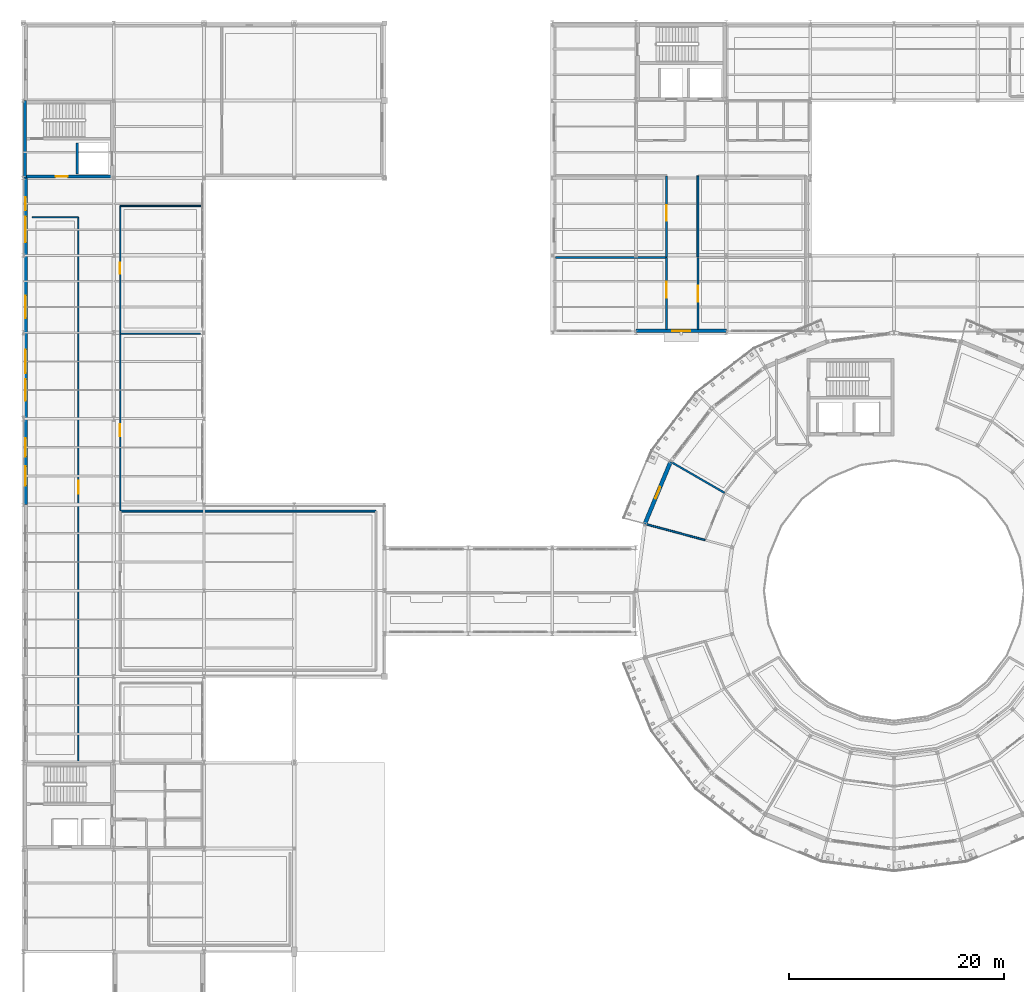
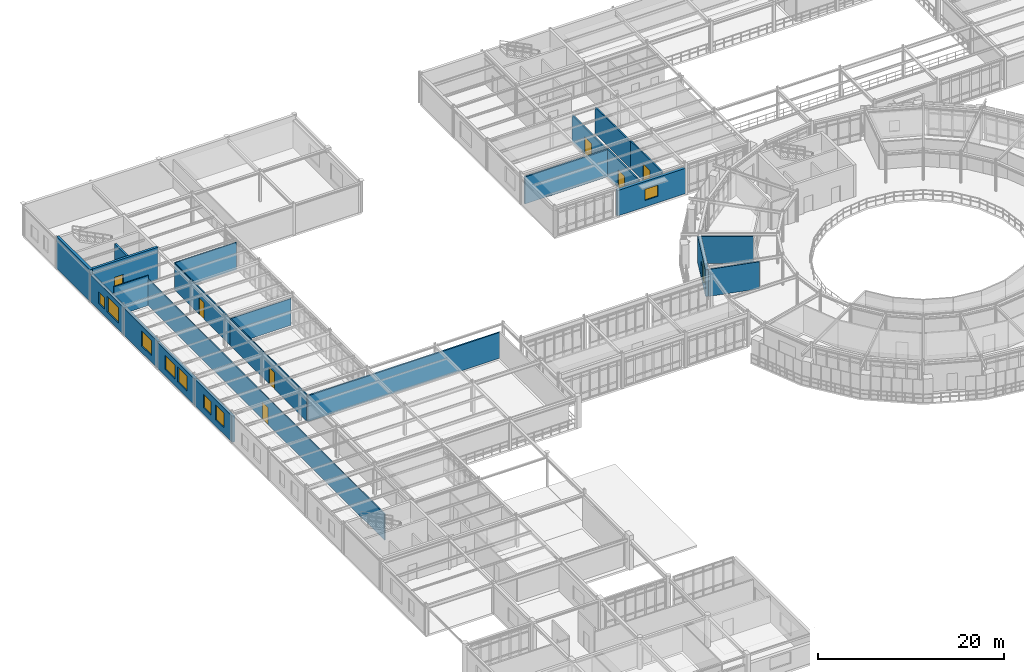
# One storey, part 75 of 90: 23 walls, 8 doors, 8 windows, 16 openings.
"""IFC4 building model written with IfcOpenShell, lengths in metres."""

from ifc_helpers import new_model, si_unit, derived_unit, direction, frame, frame_2d, origin, place, context, subcontext, project, spatial, rectangle, extrude, material, layer, layer_set, type_object, element, fill, save


model = new_model("IFC4")

# Units and contexts
model_context = context("Model", 3, precision=1e-05, world=origin(), true_north=direction((0.0, 1.0)))
body_context = subcontext(model_context, "Body", "Model", "MODEL_VIEW")
ifc_project = project(units=[si_unit("LENGTHUNIT", "METRE"), si_unit("AREAUNIT", "SQUARE_METRE"), si_unit("VOLUMEUNIT", "CUBIC_METRE"), si_unit("PLANEANGLEUNIT", "RADIAN"), si_unit("MASSUNIT", "GRAM", prefix="KILO"), derived_unit("THERMALTRANSMITTANCEUNIT", [(si_unit("POWERUNIT", "WATT"), 1), (si_unit("AREAUNIT", "SQUARE_METRE"), -1), (si_unit("THERMODYNAMICTEMPERATUREUNIT", "KELVIN"), -1)])], contexts=[model_context])

# Site, building, storey
site_placement = place(None, origin())
site = spatial("IfcSite", under=ifc_project, at=site_placement, CompositionType="ELEMENT")
building_placement = place(site_placement, origin())
building = spatial("IfcBuilding", under=site, at=building_placement, Name="Yasenodar Specialist Clinic", CompositionType="ELEMENT")
storey_placement = place(building_placement, frame((0.0, 0.0, 9.0)))
storey = spatial("IfcBuildingStorey", under=building, at=storey_placement, Name="L02", CompositionType="ELEMENT", Elevation=9.0)

# Wall, opening, door
ifc_material_1 = material(Name="Drum Insulated Terracotta Chord Wall", Category="masonry")
ifc_layer_1 = layer(ifc_material_1, 0.364990234375)
ifc_layer_set_1 = layer_set([ifc_layer_1], Name="Drum Insulated Terracotta Chord Wall")
wall_type_1 = type_object("IfcWallType", Name="EW-DRUM-365", PredefinedType="SOLIDWALL", material=ifc_layer_set_1)
wall_1_placement = place(storey_placement, frame((57.81787109375, 65.01171875, 0.0), z_axis=(0.0, 0.0, 1.0), x_axis=(0.382663829839, 0.9238876519, 0.0)))
wall_1 = element("IfcWall", 1, at=wall_1_placement, inside=storey, type_object=wall_type_1, Name="L02 Exterior Facade Wall 0019", PredefinedType="SOLIDWALL", context=body_context, shape_type="SweptSolid", body=[
    extrude(rectangle(XDim=6.26513671875, YDim=0.364990234375, at=frame_2d((3.132568359375, 0.0))), origin(), (0.0, 0.0, 1.0), 3.5380859375),
])
opening_1_placement = place(wall_1_placement, frame((2.5576171875, 0.0, 0.0)))
opening_1 = element("IfcOpeningElement", 2, at=opening_1_placement, cuts=wall_1, Name="Opening BD-02", PredefinedType="OPENING", context=body_context, shape_type="SweptSolid", body=[
    extrude(rectangle(XDim=1.14990234375, YDim=2.199951171875, at=frame_2d((0.574951171875, 1.10009765625))), frame((0.0, 0.1923828125, 0.0), z_axis=(0.0, -1.0, 0.0), x_axis=(1.0, 0.0, 0.0)), (0.0, 0.0, 1.0), 0.385009765625),
])
ifc_material_2 = material(Name="Thermally Broken Bronze Anodized Aluminium and Laminated Glass", Category="aluminium")
door_type_1 = type_object("IfcDoorType", Name="DR-BALC-115", OperationType="NOTDEFINED", PredefinedType="DOOR", material=ifc_material_2)
door_1_placement = place(opening_1_placement, origin())
door_1 = element("IfcDoor", 3, at=door_1_placement, inside=storey, type_object=door_type_1, Name="L02 Drum Balcony Access Door Sector 10", OperationType="SINGLE_SWING_RIGHT", OverallHeight=2.199951171875, OverallWidth=1.14990234375, PredefinedType="DOOR", context=body_context, shape_type="SweptSolid", body=[
    extrude(rectangle(XDim=1.14990234375, YDim=2.199951171875, at=frame_2d((0.574951171875, 1.10009765625))), frame((0.0, 0.02490234375, 0.0), z_axis=(0.0, -1.0, 0.0), x_axis=(1.0, 0.0, 0.0)), (0.0, 0.0, 1.0), 0.050048828125),
])
fill(opening_1, door_1)

# Wall, openings, windows
ifc_material_3 = material(Name="Buff Architectural Terracotta Rainscreen", Category="masonry")
ifc_layer_2 = layer(ifc_material_3, 0.340087890625)
ifc_layer_set_2 = layer_set([ifc_layer_2], Name="Buff Architectural Terracotta Rainscreen")
wall_type_2 = type_object("IfcWallType", Name="EW-TERR-340", PredefinedType="SOLIDWALL", material=ifc_layer_set_2)
wall_2_placement = place(storey_placement, frame((0.199951171875, 66.800048828125, 0.0), z_axis=(0.0, 0.0, 1.0), x_axis=(0.0, 1.0, 0.0)))
wall_2 = element("IfcWall", 4, at=wall_2_placement, inside=storey, type_object=wall_type_2, Name="L02 Exterior Facade Wall 0103", PredefinedType="SOLIDWALL", context=body_context, shape_type="SweptSolid", body=[
    extrude(rectangle(XDim=8.0, YDim=0.340087890625, at=frame_2d((4.0, 0.0))), origin(), (0.0, 0.0, 1.0), 3.427978515625),
])
opening_2_placement = place(wall_2_placement, frame((1.7666015625, 0.0, 0.85009765625)))
opening_2 = element("IfcOpeningElement", 5, at=opening_2_placement, cuts=wall_2, Name="Opening W-05", PredefinedType="OPENING", context=body_context, shape_type="SweptSolid", body=[
    extrude(rectangle(XDim=1.800048828125, YDim=1.949951171875, at=frame_2d((0.89990234375, 0.97509765625))), frame((0.0, 0.18017578125, 0.0), z_axis=(0.0, -1.0, 0.0), x_axis=(1.0, 0.0, 0.0)), (0.0, 0.0, 1.0), 0.360107421875),
])
opening_3_placement = place(wall_2_placement, frame((4.4833984375, 0.0, 0.85009765625)))
opening_3 = element("IfcOpeningElement", 6, at=opening_3_placement, cuts=wall_2, Name="Opening W-12", PredefinedType="OPENING", context=body_context, shape_type="SweptSolid", body=[
    extrude(rectangle(XDim=1.699951171875, YDim=1.75, at=frame_2d((0.85009765625, 0.875))), frame((0.0, 0.18017578125, 0.0), z_axis=(0.0, -1.0, 0.0), x_axis=(1.0, 0.0, 0.0)), (0.0, 0.0, 1.0), 0.360107421875),
])
ifc_material_4 = material(Name="Triple Low-E Argon Glazing in Bronze Aluminium Frame", Category="aluminium")
window_type_1 = type_object("IfcWindowType", Name="WIN-EXT-05", PartitioningType="SINGLE_PANEL", PredefinedType="WINDOW", material=ifc_material_4)
window_1_placement = place(opening_2_placement, origin())
window_1 = element("IfcWindow", 7, at=window_1_placement, inside=storey, type_object=window_type_1, Name="L02 Triple-Glazed Reveal Window 0098", OverallHeight=1.949951171875, OverallWidth=1.800048828125, PartitioningType="SINGLE_PANEL", PredefinedType="WINDOW", context=body_context, shape_type="SweptSolid", body=[
    extrude(rectangle(XDim=1.800048828125, YDim=1.949951171875, at=frame_2d((0.89990234375, 0.97509765625))), frame((0.0, 0.030029296875, 0.0), z_axis=(0.0, -1.0, 0.0), x_axis=(1.0, 0.0, 0.0)), (0.0, 0.0, 1.0), 0.06005859375),
])
fill(opening_2, window_1)
window_type_2 = type_object("IfcWindowType", Name="WIN-EXT-12", PartitioningType="SINGLE_PANEL", PredefinedType="WINDOW", material=ifc_material_4)
window_2_placement = place(opening_3_placement, origin())
window_2 = element("IfcWindow", 8, at=window_2_placement, inside=storey, type_object=window_type_2, Name="L02 Triple-Glazed Reveal Window 0099", OverallHeight=1.75, OverallWidth=1.699951171875, PartitioningType="SINGLE_PANEL", PredefinedType="WINDOW", context=body_context, shape_type="SweptSolid", body=[
    extrude(rectangle(XDim=1.699951171875, YDim=1.75, at=frame_2d((0.85009765625, 0.875))), frame((0.0, 0.030029296875, 0.0), z_axis=(0.0, -1.0, 0.0), x_axis=(1.0, 0.0, 0.0)), (0.0, 0.0, 1.0), 0.06005859375),
])
fill(opening_3, window_2)

wall_3_placement = place(storey_placement, frame((0.199951171875, 74.800048828125, 0.0), z_axis=(0.0, 0.0, 1.0), x_axis=(0.0, 1.0, 0.0)))
wall_3 = element("IfcWall", 9, at=wall_3_placement, inside=storey, type_object=wall_type_2, Name="L02 Exterior Facade Wall 0104", PredefinedType="SOLIDWALL", context=body_context, shape_type="SweptSolid", body=[
    extrude(rectangle(XDim=8.0, YDim=0.340087890625, at=frame_2d((4.0, 0.0))), origin(), (0.0, 0.0, 1.0), 3.427978515625),
])
opening_4_placement = place(wall_3_placement, frame((1.666748046875, 0.0, 0.85009765625)))
opening_4 = element("IfcOpeningElement", 10, at=opening_4_placement, cuts=wall_3, Name="Opening W-06", PredefinedType="OPENING", context=body_context, shape_type="SweptSolid", body=[
    extrude(rectangle(XDim=2.0, YDim=1.949951171875, at=frame_2d((1.0, 0.97509765625))), frame((0.0, 0.18017578125, 0.0), z_axis=(0.0, -1.0, 0.0), x_axis=(1.0, 0.0, 0.0)), (0.0, 0.0, 1.0), 0.360107421875),
])
opening_5_placement = place(wall_3_placement, frame((4.2333984375, 0.0, 0.85009765625)))
opening_5 = element("IfcOpeningElement", 11, at=opening_5_placement, cuts=wall_3, Name="Opening W-13", PredefinedType="OPENING", context=body_context, shape_type="SweptSolid", body=[
    extrude(rectangle(XDim=2.199951171875, YDim=1.85009765625, at=frame_2d((1.10009765625, 0.925048828125))), frame((0.0, 0.18017578125, 0.0), z_axis=(0.0, -1.0, 0.0), x_axis=(1.0, 0.0, 0.0)), (0.0, 0.0, 1.0), 0.360107421875),
])
window_type_3 = type_object("IfcWindowType", Name="WIN-EXT-06", PartitioningType="SINGLE_PANEL", PredefinedType="WINDOW", material=ifc_material_4)
window_3_placement = place(opening_4_placement, origin())
window_3 = element("IfcWindow", 12, at=window_3_placement, inside=storey, type_object=window_type_3, Name="L02 Triple-Glazed Reveal Window 0100", OverallHeight=1.949951171875, OverallWidth=2.0, PartitioningType="SINGLE_PANEL", PredefinedType="WINDOW", context=body_context, shape_type="SweptSolid", body=[
    extrude(rectangle(XDim=2.0, YDim=1.949951171875, at=frame_2d((1.0, 0.97509765625))), frame((0.0, 0.030029296875, 0.0), z_axis=(0.0, -1.0, 0.0), x_axis=(1.0, 0.0, 0.0)), (0.0, 0.0, 1.0), 0.06005859375),
])
fill(opening_4, window_3)
window_type_4 = type_object("IfcWindowType", Name="WIN-EXT-13", PartitioningType="SINGLE_PANEL", PredefinedType="WINDOW", material=ifc_material_4)
window_4_placement = place(opening_5_placement, origin())
window_4 = element("IfcWindow", 13, at=window_4_placement, inside=storey, type_object=window_type_4, Name="L02 Triple-Glazed Reveal Window 0101", OverallHeight=1.85009765625, OverallWidth=2.199951171875, PartitioningType="SINGLE_PANEL", PredefinedType="WINDOW", context=body_context, shape_type="SweptSolid", body=[
    extrude(rectangle(XDim=2.199951171875, YDim=1.85009765625, at=frame_2d((1.10009765625, 0.925048828125))), frame((0.0, 0.030029296875, 0.0), z_axis=(0.0, -1.0, 0.0), x_axis=(1.0, 0.0, 0.0)), (0.0, 0.0, 1.0), 0.06005859375),
])
fill(opening_5, window_4)

# Wall, opening, window
wall_4_placement = place(storey_placement, frame((0.199951171875, 82.800048828125, 0.0), z_axis=(0.0, 0.0, 1.0), x_axis=(0.0, 1.0, 0.0)))
wall_4 = element("IfcWall", 14, at=wall_4_placement, inside=storey, type_object=wall_type_2, Name="L02 Exterior Facade Wall 0105", PredefinedType="SOLIDWALL", context=body_context, shape_type="SweptSolid", body=[
    extrude(rectangle(XDim=7.199951171875, YDim=0.340087890625, at=frame_2d((3.60009765625, 0.0))), origin(), (0.0, 0.0, 1.0), 3.528076171875),
])
opening_6_placement = place(wall_4_placement, frame((1.35009765625, 0.0, 0.85009765625)))
opening_6 = element("IfcOpeningElement", 15, at=opening_6_placement, cuts=wall_4, Name="Opening W-07", PredefinedType="OPENING", context=body_context, shape_type="SweptSolid", body=[
    extrude(rectangle(XDim=2.10009765625, YDim=2.0, at=frame_2d((1.050048828125, 1.0))), frame((0.0, 0.18017578125, 0.0), z_axis=(0.0, -1.0, 0.0), x_axis=(1.0, 0.0, 0.0)), (0.0, 0.0, 1.0), 0.360107421875),
])
window_type_5 = type_object("IfcWindowType", Name="WIN-EXT-07", PartitioningType="SINGLE_PANEL", PredefinedType="WINDOW", material=ifc_material_4)
window_5_placement = place(opening_6_placement, origin())
window_5 = element("IfcWindow", 16, at=window_5_placement, inside=storey, type_object=window_type_5, Name="L02 Triple-Glazed Reveal Window 0102", OverallHeight=2.0, OverallWidth=2.10009765625, PartitioningType="SINGLE_PANEL", PredefinedType="WINDOW", context=body_context, shape_type="SweptSolid", body=[
    extrude(rectangle(XDim=2.10009765625, YDim=2.0, at=frame_2d((1.050048828125, 1.0))), frame((0.0, 0.030029296875, 0.0), z_axis=(0.0, -1.0, 0.0), x_axis=(1.0, 0.0, 0.0)), (0.0, 0.0, 1.0), 0.06005859375),
])
fill(opening_6, window_5)

# Wall, openings, windows
wall_5_placement = place(storey_placement, frame((0.199951171875, 90.0, 0.0), z_axis=(0.0, 0.0, 1.0), x_axis=(0.0, 1.0, 0.0)))
wall_5 = element("IfcWall", 17, at=wall_5_placement, inside=storey, type_object=wall_type_2, Name="L02 Exterior Facade Wall 0106", PredefinedType="SOLIDWALL", context=body_context, shape_type="SweptSolid", body=[
    extrude(rectangle(XDim=7.199951171875, YDim=0.340087890625, at=frame_2d((3.60009765625, 0.0))), origin(), (0.0, 0.0, 1.0), 3.528076171875),
])
opening_7_placement = place(wall_5_placement, frame((1.199951171875, 0.0, 0.85009765625)))
opening_7 = element("IfcOpeningElement", 18, at=opening_7_placement, cuts=wall_5, Name="Opening W-08", PredefinedType="OPENING", context=body_context, shape_type="SweptSolid", body=[
    extrude(rectangle(XDim=2.39990234375, YDim=2.050048828125, at=frame_2d((1.199951171875, 1.02490234375))), frame((0.0, 0.18017578125, 0.0), z_axis=(0.0, -1.0, 0.0), x_axis=(1.0, 0.0, 0.0)), (0.0, 0.0, 1.0), 0.360107421875),
])
opening_8_placement = place(wall_5_placement, frame((4.175048828125, 0.0, 0.85009765625)))
opening_8 = element("IfcOpeningElement", 19, at=opening_8_placement, cuts=wall_5, Name="Opening W-15", PredefinedType="OPENING", context=body_context, shape_type="SweptSolid", body=[
    extrude(rectangle(XDim=1.25, YDim=1.5, at=frame_2d((0.625, 0.75))), frame((0.0, 0.18017578125, 0.0), z_axis=(0.0, -1.0, 0.0), x_axis=(1.0, 0.0, 0.0)), (0.0, 0.0, 1.0), 0.360107421875),
])
window_type_6 = type_object("IfcWindowType", Name="WIN-EXT-08", PartitioningType="SINGLE_PANEL", PredefinedType="WINDOW", material=ifc_material_4)
window_6_placement = place(opening_7_placement, origin())
window_6 = element("IfcWindow", 20, at=window_6_placement, inside=storey, type_object=window_type_6, Name="L02 Triple-Glazed Reveal Window 0103", OverallHeight=2.050048828125, OverallWidth=2.39990234375, PartitioningType="SINGLE_PANEL", PredefinedType="WINDOW", context=body_context, shape_type="SweptSolid", body=[
    extrude(rectangle(XDim=2.39990234375, YDim=2.050048828125, at=frame_2d((1.199951171875, 1.02490234375))), frame((0.0, 0.030029296875, 0.0), z_axis=(0.0, -1.0, 0.0), x_axis=(1.0, 0.0, 0.0)), (0.0, 0.0, 1.0), 0.06005859375),
])
fill(opening_7, window_6)
window_type_7 = type_object("IfcWindowType", Name="WIN-EXT-15", PartitioningType="SINGLE_PANEL", PredefinedType="WINDOW", material=ifc_material_4)
window_7_placement = place(opening_8_placement, origin())
window_7 = element("IfcWindow", 21, at=window_7_placement, inside=storey, type_object=window_type_7, Name="L02 Triple-Glazed Reveal Window 0104", OverallHeight=1.5, OverallWidth=1.25, PartitioningType="SINGLE_PANEL", PredefinedType="WINDOW", context=body_context, shape_type="SweptSolid", body=[
    extrude(rectangle(XDim=1.25, YDim=1.5, at=frame_2d((0.625, 0.75))), frame((0.0, 0.030029296875, 0.0), z_axis=(0.0, -1.0, 0.0), x_axis=(1.0, 0.0, 0.0)), (0.0, 0.0, 1.0), 0.06005859375),
])
fill(opening_8, window_7)

# Wall, opening, window
wall_6_placement = place(storey_placement, frame((65.39990234375, 82.969970703125, 0.0), z_axis=(0.0, 0.0, 1.0), x_axis=(-1.0, 0.0, 0.0)))
wall_6 = element("IfcWall", 22, at=wall_6_placement, inside=storey, type_object=wall_type_2, Name="L02 Exterior Facade Wall 0141", PredefinedType="SOLIDWALL", context=body_context, shape_type="SweptSolid", body=[
    extrude(rectangle(XDim=8.39990234375, YDim=0.340087890625, at=frame_2d((4.199951171875, 0.0))), origin(), (0.0, 0.0, 1.0), 3.327880859375),
])
opening_9_placement = place(wall_6_placement, frame((3.375, 0.0, 0.85009765625)))
opening_9 = element("IfcOpeningElement", 23, at=opening_9_placement, cuts=wall_6, Name="Opening W-20", PredefinedType="OPENING", context=body_context, shape_type="SweptSolid", body=[
    extrude(rectangle(XDim=1.64990234375, YDim=1.449951171875, at=frame_2d((0.824951171875, 0.72509765625))), frame((0.0, 0.18017578125, 0.0), z_axis=(0.0, -1.0, 0.0), x_axis=(1.0, 0.0, 0.0)), (0.0, 0.0, 1.0), 0.360107421875),
])
window_type_8 = type_object("IfcWindowType", Name="WIN-EXT-20", PartitioningType="SINGLE_PANEL", PredefinedType="WINDOW", material=ifc_material_4)
window_8_placement = place(opening_9_placement, origin())
window_8 = element("IfcWindow", 24, at=window_8_placement, inside=storey, type_object=window_type_8, Name="L02 Triple-Glazed Reveal Window 0157", OverallHeight=1.449951171875, OverallWidth=1.64990234375, PartitioningType="SINGLE_PANEL", PredefinedType="WINDOW", context=body_context, shape_type="SweptSolid", body=[
    extrude(rectangle(XDim=1.64990234375, YDim=1.449951171875, at=frame_2d((0.824951171875, 0.72509765625))), frame((0.0, 0.030029296875, 0.0), z_axis=(0.0, -1.0, 0.0), x_axis=(1.0, 0.0, 0.0)), (0.0, 0.0, 1.0), 0.06005859375),
])
fill(opening_9, window_8)

# Walls
ifc_material_5 = material(Name="Acoustic Double-Gypsum Consulting Partition")
ifc_layer_3 = layer(ifc_material_5, 0.159912109375)
ifc_layer_set_3 = layer_set([ifc_layer_3], Name="Acoustic Double-Gypsum Consulting Partition")
wall_type_3 = type_object("IfcWallType", Name="IW-CONS-160", PredefinedType="PARTITIONING", material=ifc_layer_set_3)
wall_7_placement = place(storey_placement, frame((63.420166015625, 63.510498046875, 0.0), z_axis=(0.0, 0.0, 1.0), x_axis=(-0.965922914043, 0.258829913508, 0.0)))
element("IfcWall", 25, at=wall_7_placement, inside=storey, type_object=wall_type_3, Name="L02 Nurse Clinical Station Partition", PredefinedType="PARTITIONING", context=body_context, shape_type="SweptSolid", body=[
    extrude(rectangle(XDim=5.635986328125, YDim=0.159912109375, at=frame_2d((2.81787109375, 0.0))), origin(), (0.0, 0.0, 1.0), 3.5380859375),
])
ifc_material_6 = material(Name="Cleanroom Laboratory Partition")
ifc_layer_4 = layer(ifc_material_6, 0.169921875)
ifc_layer_set_4 = layer_set([ifc_layer_4], Name="Cleanroom Laboratory Partition")
wall_type_4 = type_object("IfcWallType", Name="IW-LAB-170", PredefinedType="PARTITIONING", material=ifc_layer_set_4)
wall_8_placement = place(storey_placement, frame((65.23828125, 67.89990234375, 0.0), z_axis=(0.0, 0.0, 1.0), x_axis=(-0.866013897511, 0.50001992892, 0.0)))
element("IfcWall", 26, at=wall_8_placement, inside=storey, type_object=wall_type_4, Name="L02 Pain Management Infusion Suite Partition", PredefinedType="PARTITIONING", context=body_context, shape_type="SweptSolid", body=[
    extrude(rectangle(XDim=5.635986328125, YDim=0.169921875, at=frame_2d((2.81787109375, 0.0))), origin(), (0.0, 0.0, 1.0), 3.5380859375),
])

# Wall, opening, door
ifc_material_7 = material(Name="Lightweight Counseling Partition")
ifc_layer_5 = layer(ifc_material_7, 0.114990234375)
ifc_layer_set_5 = layer_set([ifc_layer_5], Name="Lightweight Counseling Partition")
wall_type_5 = type_object("IfcWallType", Name="IW-PART-115", PredefinedType="PARTITIONING", material=ifc_layer_set_5)
wall_9_placement = place(storey_placement, frame((9.0, 94.60009765625, 0.0), z_axis=(0.0, 0.0, 1.0), x_axis=(0.0, -1.0, 0.0)))
wall_9 = element("IfcWall", 27, at=wall_9_placement, inside=storey, type_object=wall_type_5, Name="L02 Digestive Diagnostics Consulting Room Partition", PredefinedType="PARTITIONING", context=body_context, shape_type="SweptSolid", body=[
    extrude(rectangle(XDim=11.857666015625, YDim=0.114990234375, at=frame_2d((5.9287109375, 0.0))), origin(), (0.0, 0.0, 1.0), 3.488037109375),
])
opening_10_placement = place(wall_9_placement, frame((5.300048828125, 0.0, 0.0)))
opening_10 = element("IfcOpeningElement", 28, at=opening_10_placement, cuts=wall_9, Name="Opening D-03", PredefinedType="OPENING", context=body_context, shape_type="SweptSolid", body=[
    extrude(rectangle(XDim=1.02001953125, YDim=2.14990234375, at=frame_2d((0.510009765625, 1.074951171875))), frame((0.0, 0.0673828125, 0.0), z_axis=(0.0, -1.0, 0.0), x_axis=(1.0, 0.0, 0.0)), (0.0, 0.0, 1.0), 0.135009765625),
])
ifc_material_8 = material(Name="Powder-Coated Steel and Acoustic Laminate Leaf", Category="steel")
door_type_2 = type_object("IfcDoorType", Name="DR-CLN-102", OperationType="NOTDEFINED", PredefinedType="DOOR", material=ifc_material_8)
door_2_placement = place(opening_10_placement, origin())
door_2 = element("IfcDoor", 29, at=door_2_placement, inside=storey, type_object=door_type_2, Name="L02 Digestive Diagnostics Consulting Room Door", OperationType="SINGLE_SWING_LEFT", OverallHeight=2.14990234375, OverallWidth=1.02001953125, PredefinedType="DOOR", context=body_context, shape_type="SweptSolid", body=[
    extrude(rectangle(XDim=1.02001953125, YDim=2.14990234375, at=frame_2d((0.510009765625, 1.074951171875))), frame((0.0, 0.02490234375, 0.0), z_axis=(0.0, -1.0, 0.0), x_axis=(1.0, 0.0, 0.0)), (0.0, 0.0, 1.0), 0.050048828125),
])
fill(opening_10, door_2)

# Wall
wall_10_placement = place(storey_placement, frame((16.590087890625, 94.60009765625, 0.0), z_axis=(0.0, 0.0, 1.0), x_axis=(-1.0, 0.0, 0.0)))
element("IfcWall", 30, at=wall_10_placement, inside=storey, type_object=wall_type_5, Name="L02 Digestive Diagnostics Consulting Room Partition", PredefinedType="PARTITIONING", context=body_context, shape_type="SweptSolid", body=[
    extrude(rectangle(XDim=7.590087890625, YDim=0.114990234375, at=frame_2d((3.794921875, 0.0))), origin(), (0.0, 0.0, 1.0), 3.587890625),
])

# Wall, opening, door
ifc_material_9 = material(Name="Clinical Sub-Division Partition")
ifc_layer_6 = layer(ifc_material_9, 0.125)
ifc_layer_set_6 = layer_set([ifc_layer_6], Name="Clinical Sub-Division Partition")
wall_type_6 = type_object("IfcWallType", Name="IW-PART-125", PredefinedType="PARTITIONING", material=ifc_layer_set_6)
wall_11_placement = place(storey_placement, frame((5.10009765625, 42.780029296875, 0.0), z_axis=(0.0, 0.0, 1.0), x_axis=(0.0, 1.0, 0.0)))
wall_11 = element("IfcWall", 31, at=wall_11_placement, inside=storey, type_object=wall_type_6, Name="L02 Neurology Outpatient Consulting Rooms Partition", PredefinedType="PARTITIONING", context=body_context, shape_type="SweptSolid", body=[
    extrude(rectangle(XDim=50.77001953125, YDim=0.125, at=frame_2d((25.385009765625, 0.0))), origin(), (0.0, 0.0, 1.0), 3.427978515625),
])
opening_11_placement = place(wall_11_placement, frame((25.044921875, 0.0, 0.0)))
opening_11 = element("IfcOpeningElement", 32, at=opening_11_placement, cuts=wall_11, Name="Opening D-06", PredefinedType="OPENING", context=body_context, shape_type="SweptSolid", body=[
    extrude(rectangle(XDim=1.179931640625, YDim=2.199951171875, at=frame_2d((0.58984375, 1.10009765625))), frame((0.0, 0.072509765625, 0.0), z_axis=(0.0, -1.0, 0.0), x_axis=(1.0, 0.0, 0.0)), (0.0, 0.0, 1.0), 0.14501953125),
])
door_type_3 = type_object("IfcDoorType", Name="DR-CLN-118", OperationType="NOTDEFINED", PredefinedType="DOOR", material=ifc_material_8)
door_3_placement = place(opening_11_placement, origin())
door_3 = element("IfcDoor", 33, at=door_3_placement, inside=storey, type_object=door_type_3, Name="L02 Neurology Outpatient Consulting Rooms Door", OperationType="SINGLE_SWING_RIGHT", OverallHeight=2.199951171875, OverallWidth=1.179931640625, PredefinedType="DOOR", context=body_context, shape_type="SweptSolid", body=[
    extrude(rectangle(XDim=1.179931640625, YDim=2.199951171875, at=frame_2d((0.58984375, 1.10009765625))), frame((0.0, 0.02490234375, 0.0), z_axis=(0.0, -1.0, 0.0), x_axis=(1.0, 0.0, 0.0)), (0.0, 0.0, 1.0), 0.050048828125),
])
fill(opening_11, door_3)

# Wall
wall_12_placement = place(storey_placement, frame((5.10009765625, 93.550048828125, 0.0), z_axis=(0.0, 0.0, 1.0), x_axis=(-1.0, 0.0, 0.0)))
element("IfcWall", 34, at=wall_12_placement, inside=storey, type_object=wall_type_6, Name="L02 Neurology Outpatient Consulting Rooms Partition", PredefinedType="PARTITIONING", context=body_context, shape_type="SweptSolid", body=[
    extrude(rectangle(XDim=4.300048828125, YDim=0.125, at=frame_2d((2.14990234375, 0.0))), origin(), (0.0, 0.0, 1.0), 3.929931640625),
])

# Wall, opening, door
wall_13_placement = place(storey_placement, frame((9.0, 82.699951171875, 0.0), z_axis=(0.0, 0.0, 1.0), x_axis=(0.0, -1.0, 0.0)))
wall_13 = element("IfcWall", 35, at=wall_13_placement, inside=storey, type_object=wall_type_6, Name="L02 Hepatology Specialist Consulting Room Partition", PredefinedType="PARTITIONING", context=body_context, shape_type="SweptSolid", body=[
    extrude(rectangle(XDim=16.429931640625, YDim=0.125, at=frame_2d((8.21484375, 0.0))), origin(), (0.0, 0.0, 1.0), 3.47802734375),
])
opening_12_placement = place(wall_13_placement, frame((8.39990234375, 0.0, 0.0)))
opening_12 = element("IfcOpeningElement", 36, at=opening_12_placement, cuts=wall_13, Name="Opening D-05", PredefinedType="OPENING", context=body_context, shape_type="SweptSolid", body=[
    extrude(rectangle(XDim=1.1201171875, YDim=2.179931640625, at=frame_2d((0.56005859375, 1.08984375))), frame((0.0, 0.072509765625, 0.0), z_axis=(0.0, -1.0, 0.0), x_axis=(1.0, 0.0, 0.0)), (0.0, 0.0, 1.0), 0.14501953125),
])
door_type_4 = type_object("IfcDoorType", Name="DR-CLN-112", OperationType="NOTDEFINED", PredefinedType="DOOR", material=ifc_material_8)
door_4_placement = place(opening_12_placement, origin())
door_4 = element("IfcDoor", 37, at=door_4_placement, inside=storey, type_object=door_type_4, Name="L02 Hepatology Specialist Consulting Room Door", OperationType="SINGLE_SWING_RIGHT", OverallHeight=2.179931640625, OverallWidth=1.1201171875, PredefinedType="DOOR", context=body_context, shape_type="SweptSolid", body=[
    extrude(rectangle(XDim=1.1201171875, YDim=2.179931640625, at=frame_2d((0.56005859375, 1.08984375))), frame((0.0, 0.02490234375, 0.0), z_axis=(0.0, -1.0, 0.0), x_axis=(1.0, 0.0, 0.0)), (0.0, 0.0, 1.0), 0.050048828125),
])
fill(opening_12, door_4)

# Walls
wall_14_placement = place(storey_placement, frame((16.449951171875, 82.699951171875, 0.0), z_axis=(0.0, 0.0, 1.0), x_axis=(-1.0, 0.0, 0.0)))
element("IfcWall", 38, at=wall_14_placement, inside=storey, type_object=wall_type_6, Name="L02 Hepatology Specialist Consulting Room Partition", PredefinedType="PARTITIONING", context=body_context, shape_type="SweptSolid", body=[
    extrude(rectangle(XDim=7.449951171875, YDim=0.125, at=frame_2d((3.72509765625, 0.0))), origin(), (0.0, 0.0, 1.0), 3.488037109375),
])
ifc_material_10 = material(Name="Hygienic Double-Stud Clinical Partition")
ifc_layer_7 = layer(ifc_material_10, 0.179931640625)
ifc_layer_set_7 = layer_set([ifc_layer_7], Name="Hygienic Double-Stud Clinical Partition")
wall_type_7 = type_object("IfcWallType", Name="IW-PROC-180", PredefinedType="PARTITIONING", material=ifc_layer_set_7)
wall_15_placement = place(storey_placement, frame((9.0, 66.199951171875, 0.0), z_axis=(0.0, 0.0, 1.0), x_axis=(1.0, 0.0, 0.0)))
element("IfcWall", 39, at=wall_15_placement, inside=storey, type_object=wall_type_7, Name="L02 Upper Bridge Outpatient Lounge Partition", PredefinedType="PARTITIONING", context=body_context, shape_type="SweptSolid", body=[
    extrude(rectangle(XDim=23.800048828125, YDim=0.179931640625, at=frame_2d((11.89990234375, 0.0))), origin(), (0.0, 0.0, 1.0), 3.3779296875),
])

# Wall, opening, door
wall_16_placement = place(storey_placement, frame((59.85009765625, 83.1201171875, 0.0), z_axis=(0.0, 0.0, 1.0), x_axis=(0.0, 1.0, 0.0)))
wall_16 = element("IfcWall", 40, at=wall_16_placement, inside=storey, type_object=wall_type_7, Name="L02 Minor Day-Procedure Suite 01 Partition", PredefinedType="PARTITIONING", context=body_context, shape_type="SweptSolid", body=[
    extrude(rectangle(XDim=6.679931640625, YDim=0.179931640625, at=frame_2d((3.33984375, 0.0))), origin(), (0.0, 0.0, 1.0), 3.597900390625),
])
opening_13_placement = place(wall_16_placement, frame((2.929931640625, 0.0, 0.0)))
opening_13 = element("IfcOpeningElement", 41, at=opening_13_placement, cuts=wall_16, Name="Opening D-09", PredefinedType="OPENING", context=body_context, shape_type="SweptSolid", body=[
    extrude(rectangle(XDim=1.47998046875, YDim=2.239990234375, at=frame_2d((0.739990234375, 1.1201171875))), frame((0.0, 0.10009765625, 0.0), z_axis=(0.0, -1.0, 0.0), x_axis=(1.0, 0.0, 0.0)), (0.0, 0.0, 1.0), 0.199951171875),
])
door_type_5 = type_object("IfcDoorType", Name="DR-BED-148", OperationType="DOUBLE_DOOR_SINGLE_SWING", PredefinedType="DOOR", material=ifc_material_8)
door_5_placement = place(opening_13_placement, origin())
door_5 = element("IfcDoor", 42, at=door_5_placement, inside=storey, type_object=door_type_5, Name="L02 Minor Day-Procedure Suite 01 Door", OperationType="DOUBLE_DOOR_SINGLE_SWING", OverallHeight=2.239990234375, OverallWidth=1.47998046875, PredefinedType="DOOR", context=body_context, shape_type="SweptSolid", body=[
    extrude(rectangle(XDim=1.47998046875, YDim=2.239990234375, at=frame_2d((0.739990234375, 1.1201171875))), frame((0.0, 0.02490234375, 0.0), z_axis=(0.0, -1.0, 0.0), x_axis=(1.0, 0.0, 0.0)), (0.0, 0.0, 1.0), 0.050048828125),
])
fill(opening_13, door_5)

# Wall
wall_17_placement = place(storey_placement, frame((59.85009765625, 89.800048828125, 0.0), z_axis=(0.0, 0.0, 1.0), x_axis=(-1.0, 0.0, 0.0)))
element("IfcWall", 43, at=wall_17_placement, inside=storey, type_object=wall_type_7, Name="L02 Minor Day-Procedure Suite 01 Partition", PredefinedType="PARTITIONING", context=body_context, shape_type="SweptSolid", body=[
    extrude(rectangle(XDim=10.330078125, YDim=0.179931640625, at=frame_2d((5.1650390625, 0.0))), origin(), (0.0, 0.0, 1.0), 3.5380859375),
])

# Wall, opening, door
wall_18_placement = place(storey_placement, frame((62.75, 89.800048828125, 0.0), z_axis=(0.0, 0.0, 1.0), x_axis=(0.0, -1.0, 0.0)))
wall_18 = element("IfcWall", 44, at=wall_18_placement, inside=storey, type_object=wall_type_7, Name="L02 Minor Day-Procedure Suite 02 Partition", PredefinedType="PARTITIONING", context=body_context, shape_type="SweptSolid", body=[
    extrude(rectangle(XDim=6.679931640625, YDim=0.179931640625, at=frame_2d((3.33984375, 0.0))), origin(), (0.0, 0.0, 1.0), 3.597900390625),
])
opening_14_placement = place(wall_18_placement, frame((2.64990234375, 0.0, 0.0)))
opening_14 = element("IfcOpeningElement", 45, at=opening_14_placement, cuts=wall_18, Name="Opening D-09", PredefinedType="OPENING", context=body_context, shape_type="SweptSolid", body=[
    extrude(rectangle(XDim=1.47998046875, YDim=2.239990234375, at=frame_2d((0.739990234375, 1.1201171875))), frame((0.0, 0.10009765625, 0.0), z_axis=(0.0, -1.0, 0.0), x_axis=(1.0, 0.0, 0.0)), (0.0, 0.0, 1.0), 0.199951171875),
])
door_6_placement = place(opening_14_placement, origin())
door_6 = element("IfcDoor", 46, at=door_6_placement, inside=storey, type_object=door_type_5, Name="L02 Minor Day-Procedure Suite 02 Door", OperationType="DOUBLE_DOOR_SINGLE_SWING", OverallHeight=2.239990234375, OverallWidth=1.47998046875, PredefinedType="DOOR", context=body_context, shape_type="SweptSolid", body=[
    extrude(rectangle(XDim=1.47998046875, YDim=2.239990234375, at=frame_2d((0.739990234375, 1.1201171875))), frame((0.0, 0.02490234375, 0.0), z_axis=(0.0, -1.0, 0.0), x_axis=(1.0, 0.0, 0.0)), (0.0, 0.0, 1.0), 0.050048828125),
])
fill(opening_14, door_6)

wall_19_placement = place(storey_placement, frame((59.85009765625, 89.8701171875, 0.0), z_axis=(0.0, 0.0, 1.0), x_axis=(0.0, 1.0, 0.0)))
wall_19 = element("IfcWall", 47, at=wall_19_placement, inside=storey, type_object=wall_type_7, Name="L02 Minor Day-Procedure Suite 03 Partition", PredefinedType="PARTITIONING", context=body_context, shape_type="SweptSolid", body=[
    extrude(rectangle(XDim=7.52978515625, YDim=0.179931640625, at=frame_2d((3.764892578125, 0.0))), origin(), (0.0, 0.0, 1.0), 3.427978515625),
])
opening_15_placement = place(wall_19_placement, frame((3.330078125, 0.0, 0.0)))
opening_15 = element("IfcOpeningElement", 48, at=opening_15_placement, cuts=wall_19, Name="Opening D-09", PredefinedType="OPENING", context=body_context, shape_type="SweptSolid", body=[
    extrude(rectangle(XDim=1.47998046875, YDim=2.239990234375, at=frame_2d((0.739990234375, 1.1201171875))), frame((0.0, 0.10009765625, 0.0), z_axis=(0.0, -1.0, 0.0), x_axis=(1.0, 0.0, 0.0)), (0.0, 0.0, 1.0), 0.199951171875),
])
door_7_placement = place(opening_15_placement, origin())
door_7 = element("IfcDoor", 49, at=door_7_placement, inside=storey, type_object=door_type_5, Name="L02 Minor Day-Procedure Suite 03 Door", OperationType="DOUBLE_DOOR_SINGLE_SWING", OverallHeight=2.239990234375, OverallWidth=1.47998046875, PredefinedType="DOOR", context=body_context, shape_type="SweptSolid", body=[
    extrude(rectangle(XDim=1.47998046875, YDim=2.239990234375, at=frame_2d((0.739990234375, 1.1201171875))), frame((0.0, 0.02490234375, 0.0), z_axis=(0.0, -1.0, 0.0), x_axis=(1.0, 0.0, 0.0)), (0.0, 0.0, 1.0), 0.050048828125),
])
fill(opening_15, door_7)

# Walls
wall_20_placement = place(storey_placement, frame((62.75, 97.39990234375, 0.0), z_axis=(0.0, 0.0, 1.0), x_axis=(0.0, -1.0, 0.0)))
element("IfcWall", 50, at=wall_20_placement, inside=storey, type_object=wall_type_7, Name="L02 Day-Procedure Recovery Bay Partition", PredefinedType="PARTITIONING", context=body_context, shape_type="SweptSolid", body=[
    extrude(rectangle(XDim=7.52978515625, YDim=0.179931640625, at=frame_2d((3.764892578125, 0.0))), origin(), (0.0, 0.0, 1.0), 3.427978515625),
])
ifc_material_11 = material(Name="Aerated Concrete Blockwork Fire Shaft Wall", Category="masonry")
ifc_layer_8 = layer(ifc_material_11, 0.205078125)
ifc_layer_set_8 = layer_set([ifc_layer_8], Name="Aerated Concrete Blockwork Fire Shaft Wall")
wall_type_8 = type_object("IfcWallType", Name="IW-SHAFT-205", PredefinedType="PARTITIONING", material=ifc_layer_set_8)
wall_21_placement = place(storey_placement, frame((5.0, 97.550048828125, 0.0), z_axis=(0.0, 0.0, 1.0), x_axis=(0.0, 1.0, 0.0)))
element("IfcWall", 51, at=wall_21_placement, inside=storey, type_object=wall_type_8, Name="L02 LF-03 Lift Shaft Side Wall", PredefinedType="PARTITIONING", context=body_context, shape_type="SweptSolid", body=[
    extrude(rectangle(XDim=2.89990234375, YDim=0.205078125, at=frame_2d((1.449951171875, 0.0))), origin(), (0.0, 0.0, 1.0), 3.929931640625),
])

# Wall, opening, door
ifc_material_12 = material(Name="Concrete C35/45", Category="concrete")
ifc_layer_9 = layer(ifc_material_12, 0.300048828125)
ifc_layer_set_9 = layer_set([ifc_layer_9], Name="Concrete C35/45")
wall_type_9 = type_object("IfcWallType", Name="WL-CORE-300", PredefinedType="SHEAR", material=ifc_layer_set_9)
wall_22_placement = place(storey_placement, frame((0.0, 97.35009765625, 0.0), z_axis=(0.0, 0.0, 1.0), x_axis=(1.0, 0.0, 0.0)))
wall_22 = element("IfcWall", 52, at=wall_22_placement, inside=storey, type_object=wall_type_9, Name="L02 Core C2 South Shear Wall", PredefinedType="SHEAR", context=body_context, shape_type="SweptSolid", body=[
    extrude(rectangle(XDim=8.39990234375, YDim=0.300048828125, at=frame_2d((4.199951171875, 0.0))), origin(), (0.0, 0.0, 1.0), 4.199951171875),
])
opening_16_placement = place(wall_22_placement, frame((3.0, 0.0, 0.0)))
opening_16 = element("IfcOpeningElement", 53, at=opening_16_placement, cuts=wall_22, Name="Opening FD-01", PredefinedType="OPENING", context=body_context, shape_type="SweptSolid", body=[
    extrude(rectangle(XDim=1.10009765625, YDim=2.14990234375, at=frame_2d((0.550048828125, 1.074951171875))), frame((0.0, 0.16015625, 0.0), z_axis=(0.0, -1.0, 0.0), x_axis=(1.0, 0.0, 0.0)), (0.0, 0.0, 1.0), 0.320068359375),
])
ifc_material_13 = material(Name="Fire-Rated Insulated Steel Door", Category="steel")
door_type_6 = type_object("IfcDoorType", Name="DR-FD-110", OperationType="NOTDEFINED", PredefinedType="DOOR", material=ifc_material_13)
door_8_placement = place(opening_16_placement, origin())
door_8 = element("IfcDoor", 54, at=door_8_placement, inside=storey, type_object=door_type_6, Name="L02 Stair ST-02 Vestibule Door", OperationType="SINGLE_SWING_RIGHT", OverallHeight=2.14990234375, OverallWidth=1.10009765625, PredefinedType="DOOR", context=body_context, shape_type="SweptSolid", body=[
    extrude(rectangle(XDim=1.10009765625, YDim=2.14990234375, at=frame_2d((0.550048828125, 1.074951171875))), frame((0.0, 0.02490234375, 0.0), z_axis=(0.0, -1.0, 0.0), x_axis=(1.0, 0.0, 0.0)), (0.0, 0.0, 1.0), 0.050048828125),
])
fill(opening_16, door_8)

# Wall
wall_23_placement = place(storey_placement, frame((0.14990234375, 97.199951171875, 0.0), z_axis=(0.0, 0.0, 1.0), x_axis=(0.0, 1.0, 0.0)))
element("IfcWall", 55, at=wall_23_placement, inside=storey, type_object=wall_type_9, Name="L02 Core C2 West Shear Wall", PredefinedType="SHEAR", context=body_context, shape_type="SweptSolid", body=[
    extrude(rectangle(XDim=7.199951171875, YDim=0.300048828125, at=frame_2d((3.60009765625, 0.0))), origin(), (0.0, 0.0, 1.0), 4.199951171875),
])

save(model, "model.ifc")
